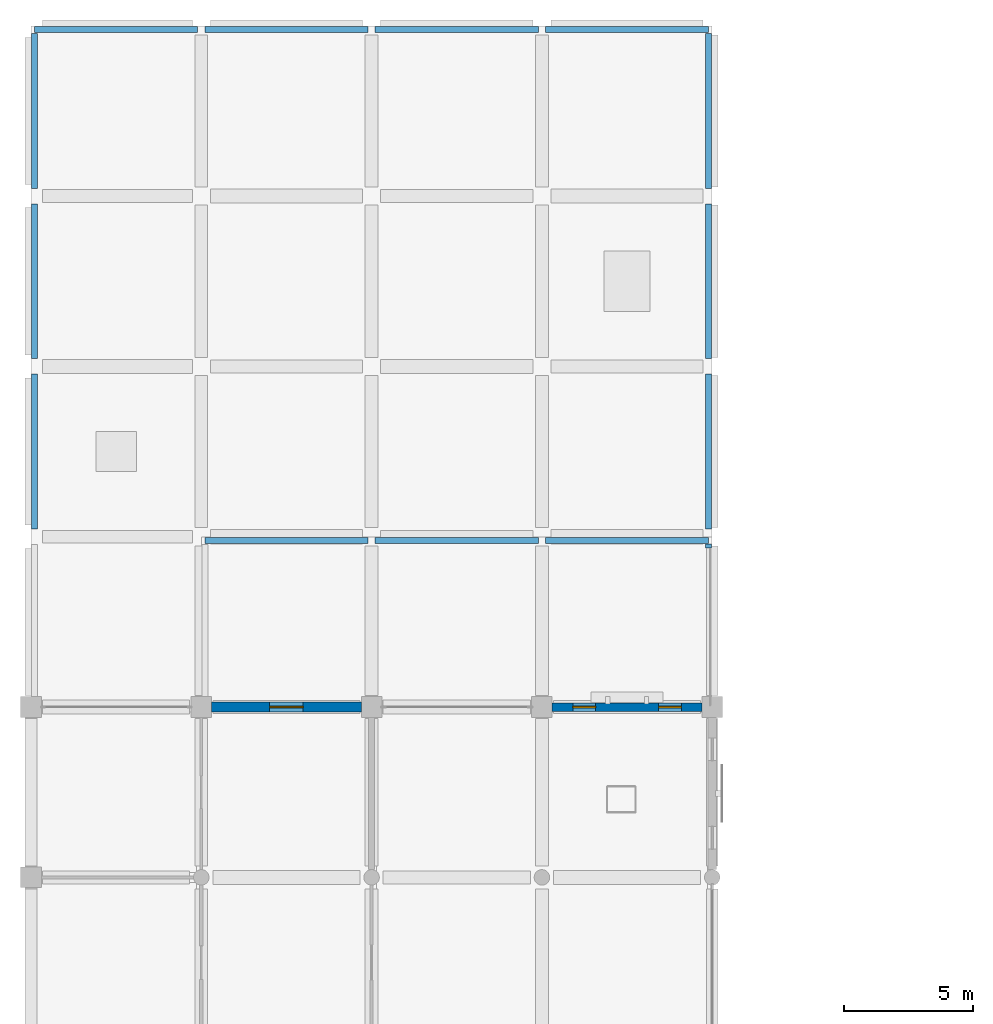
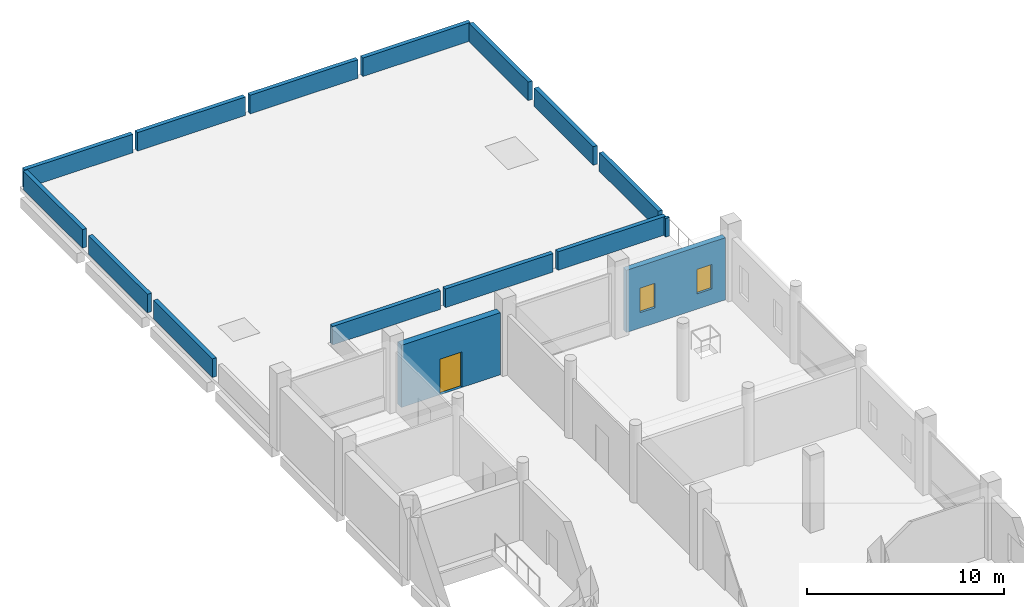
# One storey, part 25 of 34: 16 walls, 2 windows, 1 door, 3 openings.
"""IFC4 building model written with IfcOpenShell, lengths in metres."""

import ifcopenshell
import ifcopenshell.guid

model = None  # the IFC model being written
_history = None  # IfcOwnerHistory: only IFC2X3 demands one
_inside = {}  # id of a spatial element -> (the spatial element, [elements in it])
_under = {}  # id of a project, library or spatial element -> (it, [spatial elements below it])
_declared = {}  # id of a project -> (the project, [libraries it declares])
_typed = {}  # id of a type object -> (the type object, [elements of that type])
_made_of = {}  # id of a material, layer set ... -> (it, [elements and type objects made of it])


def new_model(schema):
    """Start an empty IFC model of exactly this schema.

    Asked for "IFC4X3", IfcOpenShell would pick the latest addendum, in which some entities
    have other attributes; the version numbers below select the first issue.
    IFC2X3 requires an IfcOwnerHistory on every rooted entity: one is made here for all.
    """
    global model, _history
    if schema == "IFC4X3":
        model = ifcopenshell.file(schema_version=(4, 3, 0, 0))
    else:
        model = ifcopenshell.file(schema=schema)
    _inside.clear()
    _under.clear()
    _declared.clear()
    _typed.clear()
    _made_of.clear()
    _history = None
    if model.schema == "IFC2X3":
        org = make("IfcOrganization", Name="unknown")
        user = make(
            "IfcPersonAndOrganization",
            ThePerson=make("IfcPerson", FamilyName="unknown"),
            TheOrganization=org,
        )
        app = make(
            "IfcApplication",
            ApplicationDeveloper=org,
            Version="unknown",
            ApplicationFullName="unknown",
            ApplicationIdentifier="unknown",
        )
        _history = make(
            "IfcOwnerHistory",
            OwningUser=user,
            OwningApplication=app,
            ChangeAction="ADDED",
            CreationDate=0,
        )
    return model


def make(cls, **values):
    """One entity of the class cls with the attributes given. An attribute that is None is left unset."""
    return model.create_entity(
        cls, **{name: value for name, value in values.items() if value is not None}
    )


def rooted(cls, **values):
    """An entity with a GlobalId (a new one), such as an element, a storey or a relation."""
    return make(cls, GlobalId=ifcopenshell.guid.new(), OwnerHistory=_history, **values)


def si_unit(unit_type, name, prefix=None):
    """IfcSIUnit, for example si_unit("LENGTHUNIT", "METRE", prefix="MILLI")."""
    return make("IfcSIUnit", UnitType=unit_type, Prefix=prefix, Name=name)


def assignment(units):
    """IfcUnitAssignment: the units of a project."""
    return None if units is None else make("IfcUnitAssignment", Units=units)


def point(xyz):
    """IfcCartesianPoint."""
    return None if xyz is None else make("IfcCartesianPoint", Coordinates=xyz)


def direction(xyz):
    """IfcDirection."""
    return None if xyz is None else make("IfcDirection", DirectionRatios=xyz)


def frame(location, z_axis=None, x_axis=None):
    """IfcAxis2Placement3D, a coordinate frame: its origin and axes. An axis left out is left unset."""
    return make(
        "IfcAxis2Placement3D",
        Location=point(location),
        Axis=direction(z_axis),
        RefDirection=direction(x_axis),
    )


def frame_2d(location, x_axis=None):
    """IfcAxis2Placement2D, a coordinate frame in the plane: its origin and x axis."""
    return make(
        "IfcAxis2Placement2D", Location=point(location), RefDirection=direction(x_axis)
    )


def origin():
    """The frame at (0, 0, 0) with its axes left unset."""
    return frame((0.0, 0.0, 0.0))


def place(relative_to, where):
    """IfcLocalPlacement: puts the frame where relative to a parent placement (None: the world)."""
    return make(
        "IfcLocalPlacement", PlacementRelTo=relative_to, RelativePlacement=where
    )


def context(
    kind, dimensions, precision=None, world=None, true_north=None, identifier=None
):
    """IfcGeometricRepresentationContext, for example the 3D "Model" context."""
    return make(
        "IfcGeometricRepresentationContext",
        ContextIdentifier=identifier,
        ContextType=kind,
        CoordinateSpaceDimension=dimensions,
        Precision=precision,
        WorldCoordinateSystem=world,
        TrueNorth=true_north,
    )


def subcontext(parent, identifier, kind, view, scale=None):
    """IfcGeometricRepresentationSubContext, for example "Body" below "Model"."""
    return make(
        "IfcGeometricRepresentationSubContext",
        ContextIdentifier=identifier,
        ContextType=kind,
        ParentContext=parent,
        TargetScale=scale,
        TargetView=view,
    )


def project(units=None, contexts=None):
    """IfcProject with its units and contexts."""
    return rooted(
        "IfcProject",
        Name="project",
        RepresentationContexts=contexts,
        UnitsInContext=assignment(units),
    )


def spatial(cls, under=None, at=None, **own):
    """A site, building, storey or space (cls), placed at a placement, below another one or the project."""
    s = rooted(cls, ObjectPlacement=at, **own)
    if under is not None:
        _under.setdefault(under.id(), (under, []))[1].append(s)
    return s


def profile(cls, at=None, kind="AREA", **sizes):
    """A parametric profile (cls). Its sizes go by their IFC names, for example OverallWidth=200.0."""
    return make(cls, ProfileType=kind, Position=at, **sizes)


def rectangle(**sizes):
    """IfcRectangleProfileDef."""
    return profile("IfcRectangleProfileDef", **sizes)


def extrude(swept, where, along, depth):
    """IfcExtrudedAreaSolid: the profile swept, set in the frame where, extruded along a direction by depth."""
    return make(
        "IfcExtrudedAreaSolid",
        SweptArea=swept,
        Position=where,
        ExtrudedDirection=direction(along),
        Depth=depth,
    )


def shape(context_of_items, identifier, shape_type, items):
    """IfcShapeRepresentation: the items that make up one representation, for example the "Body"."""
    return make(
        "IfcShapeRepresentation",
        ContextOfItems=context_of_items,
        RepresentationIdentifier=identifier,
        RepresentationType=shape_type,
        Items=items,
    )


def material(Name=None, Category=None):
    """IfcMaterial."""
    return make("IfcMaterial", Name=Name, Category=Category)


def layer(
    of_material, thickness, ventilated=None, Name=None, Category=None, Priority=None
):
    """IfcMaterialLayer: one layer of a wall or slab, of a material (None: an air gap)."""
    return make(
        "IfcMaterialLayer",
        Material=of_material,
        LayerThickness=thickness,
        IsVentilated=ventilated,
        Name=Name,
        Category=Category,
        Priority=Priority,
    )


def layer_set(layers, Name=None):
    """IfcMaterialLayerSet."""
    return make("IfcMaterialLayerSet", MaterialLayers=layers, LayerSetName=Name)


def made_of(thing, what):
    """Note that an element or type object is made of a material, layer set ...; save() writes the relation."""
    if what is not None:
        _made_of.setdefault(what.id(), (what, []))[1].append(thing)
    return thing


def type_object(cls, material=None, **own):
    """A type object (cls), such as IfcWallType, which elements share."""
    return made_of(rooted(cls, **own), material)


def element(
    cls,
    number,
    at=None,
    inside=None,
    cuts=None,
    type_object=None,
    material=None,
    context=None,
    identifier="Body",
    shape_type=None,
    held_by="IfcProductDefinitionShape",
    body=None,
    shapes=None,
    **own,
):
    """One element of the class cls, such as IfcWall. Its Tag is "e" and its number.

    at: its placement. inside: the storey or other place that contains it. cuts: it is an
    opening in that element (IfcRelVoidsElement). A single representation is given by context,
    identifier, shape_type and body (its items); several are given by shapes. held_by: the class
    of the entity that holds the representations. save() writes the other relations.
    """
    e = rooted(cls, Tag="e%d" % number, ObjectPlacement=at, **own)
    if body is not None:
        shapes = [shape(context, identifier, shape_type, body)]
    if shapes is not None:
        e.Representation = make(held_by, Representations=shapes)
    if inside is not None:
        _inside.setdefault(inside.id(), (inside, []))[1].append(e)
    if cuts is not None:
        rooted(
            "IfcRelVoidsElement", RelatingBuildingElement=cuts, RelatedOpeningElement=e
        )
    if type_object is not None:
        _typed.setdefault(type_object.id(), (type_object, []))[1].append(e)
    return made_of(e, material)


def fill(opening, filler):
    """IfcRelFillsElement: the door or window that sits in an opening."""
    return rooted(
        "IfcRelFillsElement",
        RelatingOpeningElement=opening,
        RelatedBuildingElement=filler,
    )


def aggregate(whole, parts):
    """IfcRelAggregates: a whole, such as a stair, and the parts it consists of."""
    return rooted("IfcRelAggregates", RelatingObject=whole, RelatedObjects=parts)


def save(model, path):
    """Write the relations noted so far, then the file.

    IfcRelAggregates (storeys below a building ...), IfcRelContainedInSpatialStructure (elements
    in a storey), IfcRelDefinesByType, IfcRelAssociatesMaterial and IfcRelDeclares: one each for
    every whole, place, type object, material and project.
    """
    for whole, parts in _under.values():
        aggregate(whole, parts)
    for where, things in _inside.values():
        rooted(
            "IfcRelContainedInSpatialStructure",
            RelatedElements=things,
            RelatingStructure=where,
        )
    for kind, things in _typed.values():
        rooted("IfcRelDefinesByType", RelatedObjects=things, RelatingType=kind)
    for what, things in _made_of.values():
        rooted("IfcRelAssociatesMaterial", RelatedObjects=things, RelatingMaterial=what)
    for by, libraries in _declared.values():
        rooted("IfcRelDeclares", RelatingContext=by, RelatedDefinitions=libraries)
    model.write(path)


model = new_model("IFC4")

# Units and contexts
model_context = context("Model", 3, precision=1e-05, world=origin(), true_north=direction((0.0, 1.0)))
body_context = subcontext(model_context, "Body", "Model", "MODEL_VIEW")
ifc_project = project(units=[si_unit("LENGTHUNIT", "METRE"), si_unit("AREAUNIT", "SQUARE_METRE"), si_unit("VOLUMEUNIT", "CUBIC_METRE"), si_unit("PLANEANGLEUNIT", "RADIAN"), si_unit("MASSUNIT", "GRAM", prefix="KILO")], contexts=[model_context])

# Site, building, storey
site_placement = place(None, origin())
site = spatial("IfcSite", under=ifc_project, at=site_placement, CompositionType="ELEMENT")
building_placement = place(site_placement, origin())
building = spatial("IfcBuilding", under=site, at=building_placement, Name="Rusizi Kubbe Research Institute", CompositionType="ELEMENT")
storey_placement = place(building_placement, frame((0.0, 0.0, 5.39990234375)))
storey = spatial("IfcBuildingStorey", under=building, at=storey_placement, Name="L01", CompositionType="ELEMENT", Elevation=5.39990234375)

# Wall, opening, door
ifc_material_1 = material(Name="Volcanic Basalt Ashlar Masonry", Category="masonry")
ifc_layer_1 = layer(ifc_material_1, 0.385009765625)
ifc_layer_set_1 = layer_set([ifc_layer_1], Name="Volcanic Basalt Ashlar Masonry")
wall_type_1 = type_object("IfcWallType", Name="EW-04", PredefinedType="SOLIDWALL", material=ifc_layer_set_1)
wall_1_placement = place(storey_placement, frame((7.0, 145.199951171875, 0.0), z_axis=(0.0, 0.0, 1.0), x_axis=(1.0, 0.0, 0.0)))
wall_1 = element("IfcWall", 1, at=wall_1_placement, inside=storey, type_object=wall_type_1, Name="Terrace Access Wall L01 H1-22", PredefinedType="SOLIDWALL", context=body_context, shape_type="SweptSolid", body=[
    extrude(rectangle(XDim=5.800048828125, YDim=0.385009765625, at=frame_2d((2.89990234375, 0.0))), origin(), (0.0, 0.0, 1.0), 3.85009765625),
])
opening_1_placement = place(wall_1_placement, frame((2.25, 0.0, 0.0)))
opening_1 = element("IfcOpeningElement", 2, at=opening_1_placement, cuts=wall_1, Name="Opening D-36", PredefinedType="OPENING", context=body_context, shape_type="SweptSolid", body=[
    extrude(rectangle(XDim=1.300048828125, YDim=2.199951171875, at=frame_2d((0.64990234375, 1.10009765625))), frame((0.0, 0.202392578125, 0.0), z_axis=(0.0, -1.0, 0.0), x_axis=(1.0, 0.0, 0.0)), (0.0, 0.0, 1.0), 0.405029296875),
])
ifc_material_2 = material(Name="Insulated Steel and Laminated Safety Glass", Category="steel")
door_type = type_object("IfcDoorType", Name="ED-06", OperationType="NOTDEFINED", PredefinedType="DOOR", material=ifc_material_2)
door_placement = place(opening_1_placement, origin())
door = element("IfcDoor", 3, at=door_placement, inside=storey, type_object=door_type, Name="Roof Terrace Door L01-T01", OperationType="SINGLE_SWING_RIGHT", OverallHeight=2.199951171875, OverallWidth=1.300048828125, PredefinedType="DOOR", context=body_context, shape_type="SweptSolid", body=[
    extrude(rectangle(XDim=1.300048828125, YDim=2.199951171875, at=frame_2d((0.64990234375, 1.10009765625))), frame((0.0, 0.02490234375, 0.0), z_axis=(0.0, -1.0, 0.0), x_axis=(1.0, 0.0, 0.0)), (0.0, 0.0, 1.0), 0.050048828125),
])
fill(opening_1, door)

# Wall, openings, windows
ifc_material_3 = material(Name="Volcanic Basalt Ashlar Masonry", Category="masonry")
ifc_layer_2 = layer(ifc_material_3, 0.324951171875)
ifc_layer_set_2 = layer_set([ifc_layer_2], Name="Volcanic Basalt Ashlar Masonry")
wall_type_2 = type_object("IfcWallType", Name="EW-08", PredefinedType="SOLIDWALL", material=ifc_layer_set_2)
wall_2_placement = place(storey_placement, frame((20.199951171875, 145.199951171875, 0.0), z_axis=(0.0, 0.0, 1.0), x_axis=(1.0, 0.0, 0.0)))
wall_2 = element("IfcWall", 4, at=wall_2_placement, inside=storey, type_object=wall_type_2, Name="Ablaq Stone Exterior Wall L01 H3-22", PredefinedType="SOLIDWALL", context=body_context, shape_type="SweptSolid", body=[
    extrude(rectangle(XDim=5.800048828125, YDim=0.324951171875, at=frame_2d((2.89990234375, 0.0))), origin(), (0.0, 0.0, 1.0), 3.85009765625),
])
opening_2_placement = place(wall_2_placement, frame((0.800048828125, 0.0, 0.949951171875)))
opening_2 = element("IfcOpeningElement", 5, at=opening_2_placement, cuts=wall_2, Name="Opening WN-02", PredefinedType="OPENING", context=body_context, shape_type="SweptSolid", body=[
    extrude(rectangle(XDim=0.8798828125, YDim=1.52001953125, at=frame_2d((0.43994140625, 0.760009765625))), frame((0.0, 0.17236328125, 0.0), z_axis=(0.0, -1.0, 0.0), x_axis=(1.0, 0.0, 0.0)), (0.0, 0.0, 1.0), 0.344970703125),
])
opening_3_placement = place(wall_2_placement, frame((4.1201171875, 0.0, 0.949951171875)))
opening_3 = element("IfcOpeningElement", 6, at=opening_3_placement, cuts=wall_2, Name="Opening WN-02", PredefinedType="OPENING", context=body_context, shape_type="SweptSolid", body=[
    extrude(rectangle(XDim=0.8798828125, YDim=1.52001953125, at=frame_2d((0.43994140625, 0.760009765625))), frame((0.0, 0.17236328125, 0.0), z_axis=(0.0, -1.0, 0.0), x_axis=(1.0, 0.0, 0.0)), (0.0, 0.0, 1.0), 0.344970703125),
])
ifc_material_4 = material(Name="Aluminium Frame and Solar-Control Double Glazing", Category="glass")
window_type = type_object("IfcWindowType", Name="WN-02", PartitioningType="SINGLE_PANEL", PredefinedType="WINDOW", material=ifc_material_4)
window_1_placement = place(opening_2_placement, origin())
window_1 = element("IfcWindow", 7, at=window_1_placement, inside=storey, type_object=window_type, Name="Casement Window WN-02 L01", OverallHeight=1.52001953125, OverallWidth=0.8798828125, PartitioningType="SINGLE_PANEL", PredefinedType="WINDOW", context=body_context, shape_type="SweptSolid", body=[
    extrude(rectangle(XDim=0.8798828125, YDim=1.52001953125, at=frame_2d((0.43994140625, 0.760009765625))), frame((0.0, 0.030029296875, 0.0), z_axis=(0.0, -1.0, 0.0), x_axis=(1.0, 0.0, 0.0)), (0.0, 0.0, 1.0), 0.06005859375),
])
fill(opening_2, window_1)
window_2_placement = place(opening_3_placement, origin())
window_2 = element("IfcWindow", 8, at=window_2_placement, inside=storey, type_object=window_type, Name="Casement Window WN-02 L01", OverallHeight=1.52001953125, OverallWidth=0.8798828125, PartitioningType="SINGLE_PANEL", PredefinedType="WINDOW", context=body_context, shape_type="SweptSolid", body=[
    extrude(rectangle(XDim=0.8798828125, YDim=1.52001953125, at=frame_2d((0.43994140625, 0.760009765625))), frame((0.0, 0.030029296875, 0.0), z_axis=(0.0, -1.0, 0.0), x_axis=(1.0, 0.0, 0.0)), (0.0, 0.0, 1.0), 0.06005859375),
])
fill(opening_3, window_2)

# Walls
ifc_material_5 = material(Name="Volcanic Basalt Ashlar Masonry", Category="masonry")
ifc_layer_3 = layer(ifc_material_5, 0.239990234375)
ifc_layer_set_3 = layer_set([ifc_layer_3], Name="Volcanic Basalt Ashlar Masonry")
wall_type_3 = type_object("IfcWallType", Name="PRP-01", PredefinedType="PARAPET", material=ifc_layer_set_3)
wall_3_placement = place(storey_placement, frame((6.739990234375, 151.659912109375, 0.0), z_axis=(0.0, 0.0, 1.0), x_axis=(1.0, 0.0, 0.0)))
element("IfcWall", 9, at=wall_3_placement, inside=storey, type_object=wall_type_3, Name="Terrace Divider Parapet Wall L01-001", PredefinedType="PARAPET", context=body_context, shape_type="SweptSolid", body=[
    extrude(rectangle(XDim=6.320068359375, YDim=0.239990234375, at=frame_2d((3.16015625, 0.0))), origin(), (0.0, 0.0, 1.0), 1.150146484375),
])
wall_4_placement = place(storey_placement, frame((13.340087890625, 151.659912109375, 0.0), z_axis=(0.0, 0.0, 1.0), x_axis=(1.0, 0.0, 0.0)))
element("IfcWall", 10, at=wall_4_placement, inside=storey, type_object=wall_type_3, Name="Terrace Divider Parapet Wall L01-003", PredefinedType="PARAPET", context=body_context, shape_type="SweptSolid", body=[
    extrude(rectangle(XDim=6.31982421875, YDim=0.239990234375, at=frame_2d((3.159912109375, 0.0))), origin(), (0.0, 0.0, 1.0), 1.150146484375),
])
wall_5_placement = place(storey_placement, frame((19.93994140625, 151.659912109375, 0.0), z_axis=(0.0, 0.0, 1.0), x_axis=(1.0, 0.0, 0.0)))
element("IfcWall", 11, at=wall_5_placement, inside=storey, type_object=wall_type_3, Name="Terrace Divider Parapet Wall L01-004", PredefinedType="PARAPET", context=body_context, shape_type="SweptSolid", body=[
    extrude(rectangle(XDim=6.320068359375, YDim=0.239990234375, at=frame_2d((3.16015625, 0.0))), origin(), (0.0, 0.0, 1.0), 1.150146484375),
])
wall_6_placement = place(storey_placement, frame((26.260009765625, 151.360107421875, 0.0), z_axis=(0.0, 0.0, 1.0), x_axis=(0.0, 1.0, 0.0)))
element("IfcWall", 12, at=wall_6_placement, inside=storey, type_object=wall_type_3, Name="Terrace Corner Parapet L01-005", PredefinedType="PARAPET", context=body_context, shape_type="SweptSolid", body=[
    extrude(rectangle(XDim=0.159912109375, YDim=0.239990234375, at=frame_2d((0.080078125, 0.0))), origin(), (0.0, 0.0, 1.0), 1.150146484375),
])
for number, where, z_axis, x_axis, name in (
    (13, (0.139892578125, 152.10009765625, 0.0), (0.0, 0.0, 1.0), (0.0, 1.0, 0.0), "Roof Parapet Wall L01-011"),
    (14, (0.139892578125, 158.699951171875, 0.0), (0.0, 0.0, 1.0), (0.0, 1.0, 0.0), "Roof Parapet Wall L01-012"),
):
    element("IfcWall", number, at=place(storey_placement, frame(where, z_axis=z_axis, x_axis=x_axis)), inside=storey, type_object=wall_type_3, Name=name, PredefinedType="PARAPET", context=body_context, shape_type="SweptSolid", body=[
        extrude(rectangle(XDim=6.0, YDim=0.239990234375, at=frame_2d((3.0, 0.0))), origin(), (0.0, 0.0, 1.0), 1.150146484375),
    ])
wall_7_placement = place(storey_placement, frame((0.139892578125, 171.4599609375, 0.0), z_axis=(0.0, 0.0, 1.0), x_axis=(1.0, 0.0, 0.0)))
element("IfcWall", 15, at=wall_7_placement, inside=storey, type_object=wall_type_3, Name="Roof Parapet Wall L01-013", PredefinedType="PARAPET", context=body_context, shape_type="SweptSolid", body=[
    extrude(rectangle(XDim=6.320068359375, YDim=0.239990234375, at=frame_2d((3.16015625, 0.0))), origin(), (0.0, 0.0, 1.0), 1.150146484375),
])
wall_8_placement = place(storey_placement, frame((0.139892578125, 165.300048828125, 0.0), z_axis=(0.0, 0.0, 1.0), x_axis=(0.0, 1.0, 0.0)))
element("IfcWall", 16, at=wall_8_placement, inside=storey, type_object=wall_type_3, Name="Roof Parapet Wall L01-014", PredefinedType="PARAPET", context=body_context, shape_type="SweptSolid", body=[
    extrude(rectangle(XDim=6.0, YDim=0.239990234375, at=frame_2d((3.0, 0.0))), origin(), (0.0, 0.0, 1.0), 1.150146484375),
])
wall_9_placement = place(storey_placement, frame((6.739990234375, 171.4599609375, 0.0), z_axis=(0.0, 0.0, 1.0), x_axis=(1.0, 0.0, 0.0)))
element("IfcWall", 17, at=wall_9_placement, inside=storey, type_object=wall_type_3, Name="Roof Parapet Wall L01-015", PredefinedType="PARAPET", context=body_context, shape_type="SweptSolid", body=[
    extrude(rectangle(XDim=6.320068359375, YDim=0.239990234375, at=frame_2d((3.16015625, 0.0))), origin(), (0.0, 0.0, 1.0), 1.150146484375),
])
wall_10_placement = place(storey_placement, frame((13.340087890625, 171.4599609375, 0.0), z_axis=(0.0, 0.0, 1.0), x_axis=(1.0, 0.0, 0.0)))
element("IfcWall", 18, at=wall_10_placement, inside=storey, type_object=wall_type_3, Name="Roof Parapet Wall L01-016", PredefinedType="PARAPET", context=body_context, shape_type="SweptSolid", body=[
    extrude(rectangle(XDim=6.31982421875, YDim=0.239990234375, at=frame_2d((3.159912109375, 0.0))), origin(), (0.0, 0.0, 1.0), 1.150146484375),
])
for number, where, z_axis, x_axis, name in (
    (19, (26.260009765625, 152.10009765625, 0.0), (0.0, 0.0, 1.0), (0.0, 1.0, 0.0), "Roof Parapet Wall L01-017"),
    (20, (26.260009765625, 158.699951171875, 0.0), (0.0, 0.0, 1.0), (0.0, 1.0, 0.0), "Roof Parapet Wall L01-018"),
):
    element("IfcWall", number, at=place(storey_placement, frame(where, z_axis=z_axis, x_axis=x_axis)), inside=storey, type_object=wall_type_3, Name=name, PredefinedType="PARAPET", context=body_context, shape_type="SweptSolid", body=[
        extrude(rectangle(XDim=6.0, YDim=0.239990234375, at=frame_2d((3.0, 0.0))), origin(), (0.0, 0.0, 1.0), 1.150146484375),
    ])
wall_11_placement = place(storey_placement, frame((19.93994140625, 171.4599609375, 0.0), z_axis=(0.0, 0.0, 1.0), x_axis=(1.0, 0.0, 0.0)))
element("IfcWall", 21, at=wall_11_placement, inside=storey, type_object=wall_type_3, Name="Roof Parapet Wall L01-019", PredefinedType="PARAPET", context=body_context, shape_type="SweptSolid", body=[
    extrude(rectangle(XDim=6.320068359375, YDim=0.239990234375, at=frame_2d((3.16015625, 0.0))), origin(), (0.0, 0.0, 1.0), 1.150146484375),
])
wall_12_placement = place(storey_placement, frame((26.260009765625, 165.300048828125, 0.0), z_axis=(0.0, 0.0, 1.0), x_axis=(0.0, 1.0, 0.0)))
element("IfcWall", 22, at=wall_12_placement, inside=storey, type_object=wall_type_3, Name="Roof Parapet Wall L01-020", PredefinedType="PARAPET", context=body_context, shape_type="SweptSolid", body=[
    extrude(rectangle(XDim=6.0, YDim=0.239990234375, at=frame_2d((3.0, 0.0))), origin(), (0.0, 0.0, 1.0), 1.150146484375),
])

save(model, "model.ifc")
